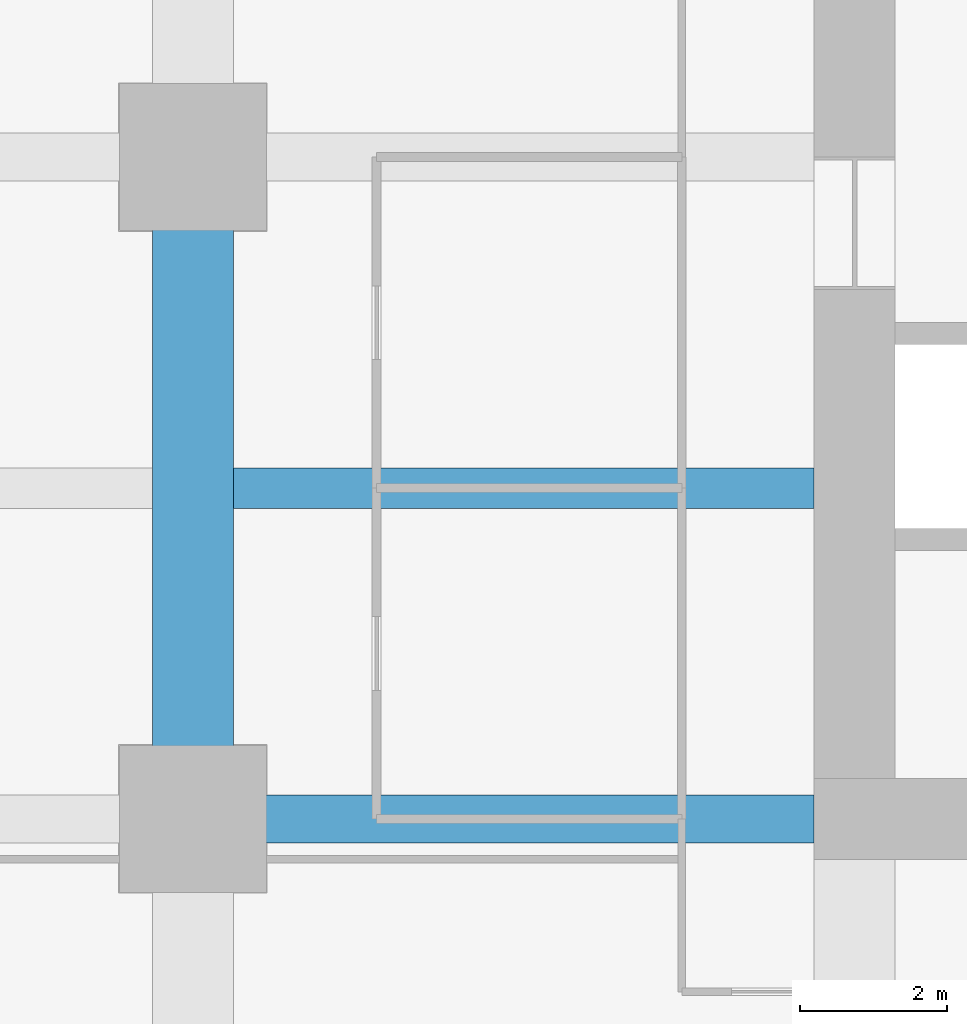
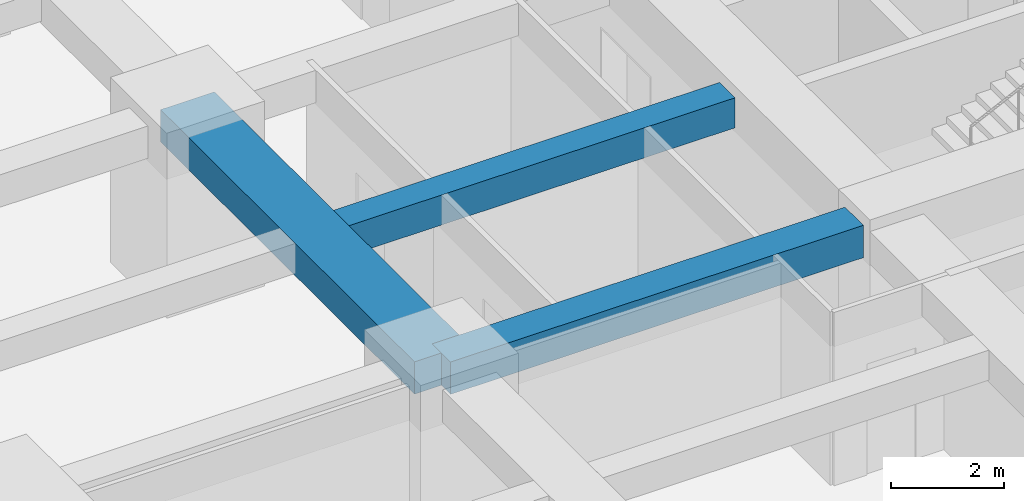
# One storey, part 10 of 40: 3 beams.
"""IFC4 building model written with IfcOpenShell, lengths in metres."""

from ifc_helpers import new_model, si_unit, direction, frame, origin, origin_2d, place, context, subcontext, project, spatial, rectangle, extrude, material, material_profile, profile_set, type_object, element, save


model = new_model("IFC4")

# Units and contexts
model_context = context("Model", 3, precision=1e-05, world=origin(), true_north=direction((0.0, 1.0)))
body_context = subcontext(model_context, "Body", "Model", "MODEL_VIEW")
ifc_project = project(units=[si_unit("LENGTHUNIT", "METRE"), si_unit("AREAUNIT", "SQUARE_METRE"), si_unit("VOLUMEUNIT", "CUBIC_METRE"), si_unit("PLANEANGLEUNIT", "RADIAN"), si_unit("MASSUNIT", "GRAM", prefix="KILO")], contexts=[model_context])

# Site, building, storey
site_placement = place(None, origin())
site = spatial("IfcSite", under=ifc_project, at=site_placement, CompositionType="ELEMENT")
building_placement = place(site_placement, origin())
building = spatial("IfcBuilding", under=site, at=building_placement, Name="Zorevar Civic Tower", CompositionType="ELEMENT")
storey_placement = place(building_placement, frame((0.0, 0.0, 93.0)))
storey = spatial("IfcBuildingStorey", under=building, at=storey_placement, Name="L22", CompositionType="ELEMENT", Elevation=93.0)

# Beams
ifc_material_1 = material(Name="Concrete C50/60", Category="concrete")
ifc_material_profile_1 = material_profile(ifc_material_1, rectangle(XDim=1.10009765625, YDim=0.699951171875, at=origin_2d()), Name="RC 1100x700")
ifc_profile_set_1 = profile_set([ifc_material_profile_1], Name="Concrete C50/60")
beam_type_1 = type_object("IfcBeamType", Name="Beam RC 1100x700", PredefinedType="BEAM", material=ifc_profile_set_1)
beam_1_placement = place(storey_placement, frame((9.0, 18.0, 3.39990234375), z_axis=(0.0, 1.0, 0.0), x_axis=(-1.0, 0.0, 0.0)))
element("IfcBeam", 1, at=beam_1_placement, inside=storey, type_object=beam_type_1, Name="Girder L23", PredefinedType="BEAM", context=body_context, shape_type="SweptSolid", body=[
    extrude(rectangle(XDim=1.10009765625, YDim=0.699951171875, at=origin_2d()), origin(), (0.0, 0.0, 1.0), 9.0),
])
ifc_material_2 = material(Name="Concrete C50/60", Category="concrete")
ifc_material_profile_2 = material_profile(ifc_material_2, rectangle(XDim=0.550048828125, YDim=0.64990234375, at=origin_2d()), Name="RC 550x650")
ifc_profile_set_2 = profile_set([ifc_material_profile_2], Name="Concrete C50/60")
beam_type_2 = type_object("IfcBeamType", Name="Beam RC 550x650", PredefinedType="BEAM", material=ifc_profile_set_2)
beam_2_placement = place(storey_placement, frame((9.550048828125, 22.5, 3.425048828125), z_axis=(1.0, 0.0, 0.0), x_axis=(0.0, 1.0, 0.0)))
element("IfcBeam", 2, at=beam_2_placement, inside=storey, type_object=beam_type_2, Name="Secondary beam L23", PredefinedType="BEAM", context=body_context, shape_type="SweptSolid", body=[
    extrude(rectangle(XDim=0.550048828125, YDim=0.64990234375, at=origin_2d()), origin(), (0.0, 0.0, 1.0), 7.89990234375),
])
ifc_material_3 = material(Name="Concrete C50/60", Category="concrete")
ifc_material_profile_3 = material_profile(ifc_material_3, rectangle(XDim=0.64990234375, YDim=0.699951171875, at=origin_2d()), Name="RC 650x700")
ifc_profile_set_3 = profile_set([ifc_material_profile_3], Name="Concrete C50/60")
beam_type_3 = type_object("IfcBeamType", Name="Beam RC 650x700", PredefinedType="BEAM", material=ifc_profile_set_3)
beam_3_placement = place(storey_placement, frame((9.0, 18.0, 3.39990234375), z_axis=(1.0, 0.0, 0.0), x_axis=(0.0, 1.0, 0.0)))
element("IfcBeam", 3, at=beam_3_placement, inside=storey, type_object=beam_type_3, Name="Girder L23", PredefinedType="BEAM", context=body_context, shape_type="SweptSolid", body=[
    extrude(rectangle(XDim=0.64990234375, YDim=0.699951171875, at=origin_2d()), origin(), (0.0, 0.0, 1.0), 8.449951171875),
])

save(model, "model.ifc")
